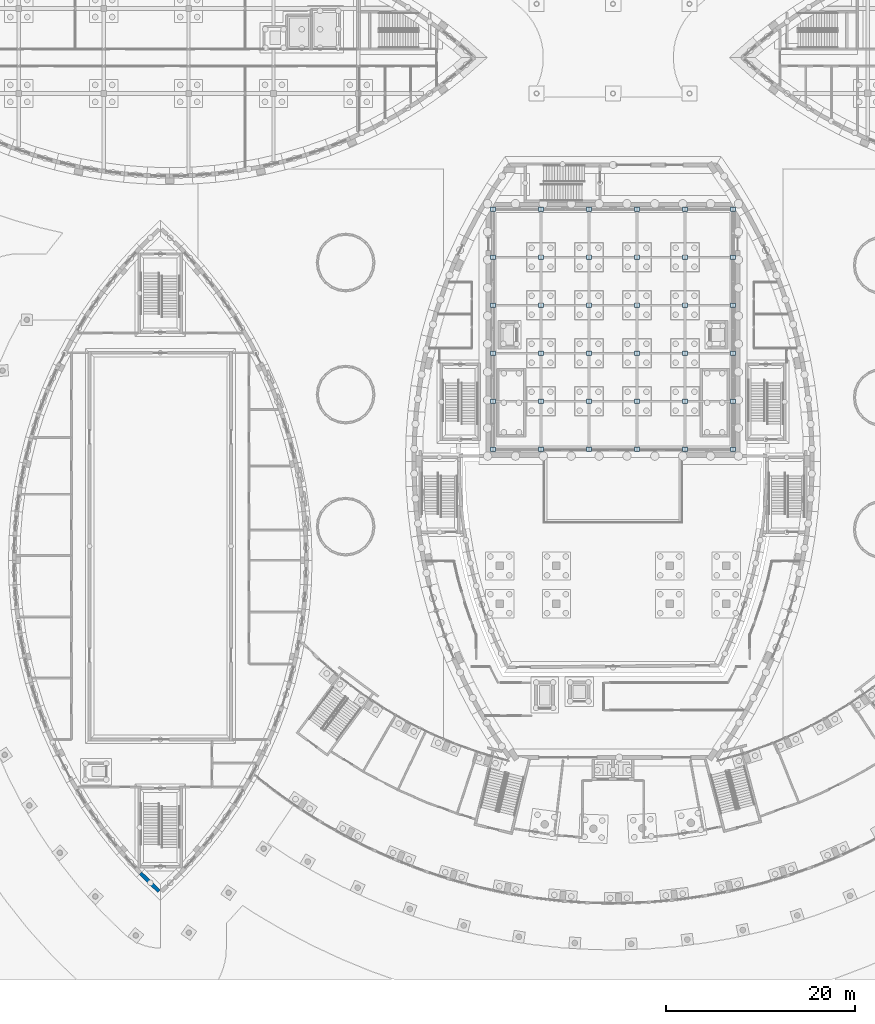
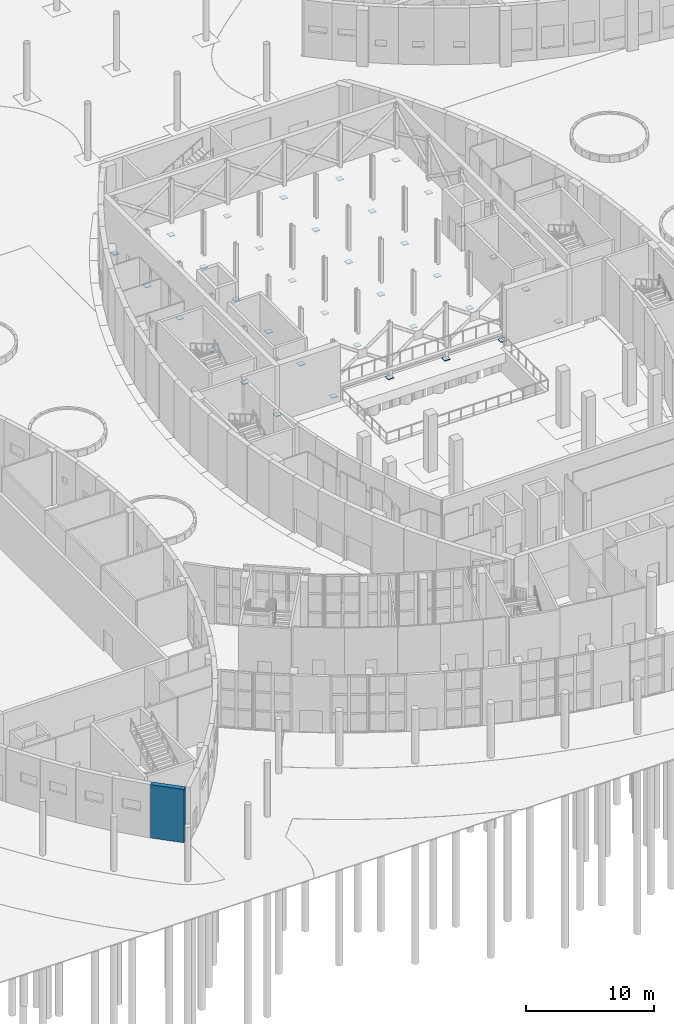
# One storey, part 40 of 82: 36 plates, 1 wall.
"""IFC4 building model written with IfcOpenShell, lengths in metres."""

import ifcopenshell
import ifcopenshell.guid

model = None  # the IFC model being written
_history = None  # IfcOwnerHistory: only IFC2X3 demands one
_inside = {}  # id of a spatial element -> (the spatial element, [elements in it])
_under = {}  # id of a project, library or spatial element -> (it, [spatial elements below it])
_declared = {}  # id of a project -> (the project, [libraries it declares])
_typed = {}  # id of a type object -> (the type object, [elements of that type])
_made_of = {}  # id of a material, layer set ... -> (it, [elements and type objects made of it])


def new_model(schema):
    """Start an empty IFC model of exactly this schema.

    Asked for "IFC4X3", IfcOpenShell would pick the latest addendum, in which some entities
    have other attributes; the version numbers below select the first issue.
    IFC2X3 requires an IfcOwnerHistory on every rooted entity: one is made here for all.
    """
    global model, _history
    if schema == "IFC4X3":
        model = ifcopenshell.file(schema_version=(4, 3, 0, 0))
    else:
        model = ifcopenshell.file(schema=schema)
    _inside.clear()
    _under.clear()
    _declared.clear()
    _typed.clear()
    _made_of.clear()
    _history = None
    if model.schema == "IFC2X3":
        org = make("IfcOrganization", Name="unknown")
        user = make(
            "IfcPersonAndOrganization",
            ThePerson=make("IfcPerson", FamilyName="unknown"),
            TheOrganization=org,
        )
        app = make(
            "IfcApplication",
            ApplicationDeveloper=org,
            Version="unknown",
            ApplicationFullName="unknown",
            ApplicationIdentifier="unknown",
        )
        _history = make(
            "IfcOwnerHistory",
            OwningUser=user,
            OwningApplication=app,
            ChangeAction="ADDED",
            CreationDate=0,
        )
    return model


def make(cls, **values):
    """One entity of the class cls with the attributes given. An attribute that is None is left unset."""
    return model.create_entity(
        cls, **{name: value for name, value in values.items() if value is not None}
    )


def rooted(cls, **values):
    """An entity with a GlobalId (a new one), such as an element, a storey or a relation."""
    return make(cls, GlobalId=ifcopenshell.guid.new(), OwnerHistory=_history, **values)


def si_unit(unit_type, name, prefix=None):
    """IfcSIUnit, for example si_unit("LENGTHUNIT", "METRE", prefix="MILLI")."""
    return make("IfcSIUnit", UnitType=unit_type, Prefix=prefix, Name=name)


def assignment(units):
    """IfcUnitAssignment: the units of a project."""
    return None if units is None else make("IfcUnitAssignment", Units=units)


def point(xyz):
    """IfcCartesianPoint."""
    return None if xyz is None else make("IfcCartesianPoint", Coordinates=xyz)


def direction(xyz):
    """IfcDirection."""
    return None if xyz is None else make("IfcDirection", DirectionRatios=xyz)


def frame(location, z_axis=None, x_axis=None):
    """IfcAxis2Placement3D, a coordinate frame: its origin and axes. An axis left out is left unset."""
    return make(
        "IfcAxis2Placement3D",
        Location=point(location),
        Axis=direction(z_axis),
        RefDirection=direction(x_axis),
    )


def frame_2d(location, x_axis=None):
    """IfcAxis2Placement2D, a coordinate frame in the plane: its origin and x axis."""
    return make(
        "IfcAxis2Placement2D", Location=point(location), RefDirection=direction(x_axis)
    )


def origin():
    """The frame at (0, 0, 0) with its axes left unset."""
    return frame((0.0, 0.0, 0.0))


def origin_2d():
    """The frame at (0, 0) in the plane with its x axis left unset."""
    return frame_2d((0.0, 0.0))


def place(relative_to, where):
    """IfcLocalPlacement: puts the frame where relative to a parent placement (None: the world)."""
    return make(
        "IfcLocalPlacement", PlacementRelTo=relative_to, RelativePlacement=where
    )


def context(
    kind, dimensions, precision=None, world=None, true_north=None, identifier=None
):
    """IfcGeometricRepresentationContext, for example the 3D "Model" context."""
    return make(
        "IfcGeometricRepresentationContext",
        ContextIdentifier=identifier,
        ContextType=kind,
        CoordinateSpaceDimension=dimensions,
        Precision=precision,
        WorldCoordinateSystem=world,
        TrueNorth=true_north,
    )


def subcontext(parent, identifier, kind, view, scale=None):
    """IfcGeometricRepresentationSubContext, for example "Body" below "Model"."""
    return make(
        "IfcGeometricRepresentationSubContext",
        ContextIdentifier=identifier,
        ContextType=kind,
        ParentContext=parent,
        TargetScale=scale,
        TargetView=view,
    )


def project(units=None, contexts=None):
    """IfcProject with its units and contexts."""
    return rooted(
        "IfcProject",
        Name="project",
        RepresentationContexts=contexts,
        UnitsInContext=assignment(units),
    )


def spatial(cls, under=None, at=None, **own):
    """A site, building, storey or space (cls), placed at a placement, below another one or the project."""
    s = rooted(cls, ObjectPlacement=at, **own)
    if under is not None:
        _under.setdefault(under.id(), (under, []))[1].append(s)
    return s


def profile(cls, at=None, kind="AREA", **sizes):
    """A parametric profile (cls). Its sizes go by their IFC names, for example OverallWidth=200.0."""
    return make(cls, ProfileType=kind, Position=at, **sizes)


def rectangle(**sizes):
    """IfcRectangleProfileDef."""
    return profile("IfcRectangleProfileDef", **sizes)


def extrude(swept, where, along, depth):
    """IfcExtrudedAreaSolid: the profile swept, set in the frame where, extruded along a direction by depth."""
    return make(
        "IfcExtrudedAreaSolid",
        SweptArea=swept,
        Position=where,
        ExtrudedDirection=direction(along),
        Depth=depth,
    )


def shape(context_of_items, identifier, shape_type, items):
    """IfcShapeRepresentation: the items that make up one representation, for example the "Body"."""
    return make(
        "IfcShapeRepresentation",
        ContextOfItems=context_of_items,
        RepresentationIdentifier=identifier,
        RepresentationType=shape_type,
        Items=items,
    )


def material(Name=None, Category=None):
    """IfcMaterial."""
    return make("IfcMaterial", Name=Name, Category=Category)


def layer(
    of_material, thickness, ventilated=None, Name=None, Category=None, Priority=None
):
    """IfcMaterialLayer: one layer of a wall or slab, of a material (None: an air gap)."""
    return make(
        "IfcMaterialLayer",
        Material=of_material,
        LayerThickness=thickness,
        IsVentilated=ventilated,
        Name=Name,
        Category=Category,
        Priority=Priority,
    )


def layer_set(layers, Name=None):
    """IfcMaterialLayerSet."""
    return make("IfcMaterialLayerSet", MaterialLayers=layers, LayerSetName=Name)


def made_of(thing, what):
    """Note that an element or type object is made of a material, layer set ...; save() writes the relation."""
    if what is not None:
        _made_of.setdefault(what.id(), (what, []))[1].append(thing)
    return thing


def type_object(cls, material=None, **own):
    """A type object (cls), such as IfcWallType, which elements share."""
    return made_of(rooted(cls, **own), material)


def element(
    cls,
    number,
    at=None,
    inside=None,
    cuts=None,
    type_object=None,
    material=None,
    context=None,
    identifier="Body",
    shape_type=None,
    held_by="IfcProductDefinitionShape",
    body=None,
    shapes=None,
    **own,
):
    """One element of the class cls, such as IfcWall. Its Tag is "e" and its number.

    at: its placement. inside: the storey or other place that contains it. cuts: it is an
    opening in that element (IfcRelVoidsElement). A single representation is given by context,
    identifier, shape_type and body (its items); several are given by shapes. held_by: the class
    of the entity that holds the representations. save() writes the other relations.
    """
    e = rooted(cls, Tag="e%d" % number, ObjectPlacement=at, **own)
    if body is not None:
        shapes = [shape(context, identifier, shape_type, body)]
    if shapes is not None:
        e.Representation = make(held_by, Representations=shapes)
    if inside is not None:
        _inside.setdefault(inside.id(), (inside, []))[1].append(e)
    if cuts is not None:
        rooted(
            "IfcRelVoidsElement", RelatingBuildingElement=cuts, RelatedOpeningElement=e
        )
    if type_object is not None:
        _typed.setdefault(type_object.id(), (type_object, []))[1].append(e)
    return made_of(e, material)


def aggregate(whole, parts):
    """IfcRelAggregates: a whole, such as a stair, and the parts it consists of."""
    return rooted("IfcRelAggregates", RelatingObject=whole, RelatedObjects=parts)


def save(model, path):
    """Write the relations noted so far, then the file.

    IfcRelAggregates (storeys below a building ...), IfcRelContainedInSpatialStructure (elements
    in a storey), IfcRelDefinesByType, IfcRelAssociatesMaterial and IfcRelDeclares: one each for
    every whole, place, type object, material and project.
    """
    for whole, parts in _under.values():
        aggregate(whole, parts)
    for where, things in _inside.values():
        rooted(
            "IfcRelContainedInSpatialStructure",
            RelatedElements=things,
            RelatingStructure=where,
        )
    for kind, things in _typed.values():
        rooted("IfcRelDefinesByType", RelatedObjects=things, RelatingType=kind)
    for what, things in _made_of.values():
        rooted("IfcRelAssociatesMaterial", RelatedObjects=things, RelatingMaterial=what)
    for by, libraries in _declared.values():
        rooted("IfcRelDeclares", RelatingContext=by, RelatedDefinitions=libraries)
    model.write(path)


model = new_model("IFC4")

# Units and contexts
model_context = context("Model", 3, precision=1e-05, world=origin(), true_north=direction((0.0, 1.0)))
body_context = subcontext(model_context, "Body", "Model", "MODEL_VIEW")
ifc_project = project(units=[si_unit("LENGTHUNIT", "METRE"), si_unit("AREAUNIT", "SQUARE_METRE"), si_unit("VOLUMEUNIT", "CUBIC_METRE"), si_unit("PLANEANGLEUNIT", "RADIAN"), si_unit("MASSUNIT", "GRAM", prefix="KILO")], contexts=[model_context])

# Site, building, storey
site_placement = place(None, origin())
site = spatial("IfcSite", under=ifc_project, at=site_placement, CompositionType="ELEMENT")
building_placement = place(site_placement, origin())
building = spatial("IfcBuilding", under=site, at=building_placement, Name="Tide Square Theatres", CompositionType="ELEMENT")
storey_placement = place(building_placement, origin())
storey = spatial("IfcBuildingStorey", under=building, at=storey_placement, Name="L00", CompositionType="ELEMENT", Elevation=0.0)

# Plates
ifc_material_1 = material(Name="Steel ASTM A572 Grade 50", Category="steel")
ifc_layer_1 = layer(ifc_material_1, 0.050048828125)
ifc_layer_set_1 = layer_set([ifc_layer_1], Name="Steel ASTM A572 Grade 50")
plate_type_1 = type_object("IfcPlateType", Name="Steel base plate 50 thick", PredefinedType="USERDEFINED", material=ifc_layer_set_1)
for number, where, z_axis, x_axis, name in (
    (1, (71.27587890625, 61.365478515625, 0.0), (0.0, 0.0, 1.0), (1.0, 0.0, 0.0), "Fly tower column base plate"),
    (2, (71.27587890625, 66.455078125, 0.0), (0.0, 0.0, 1.0), (1.0, 0.0, 0.0), "Fly tower column base plate"),
    (3, (71.27587890625, 71.544921875, 0.0), (0.0, 0.0, 1.0), (1.0, 0.0, 0.0), "Fly tower column base plate"),
    (4, (71.27587890625, 76.634521484375, 0.0), (0.0, 0.0, 1.0), (1.0, 0.0, 0.0), "Fly tower column base plate"),
    (5, (76.365478515625, 56.27587890625, 0.0), (0.0, 0.0, 1.0), (1.0, 0.0, 0.0), "Fly tower column base plate"),
    (6, (76.365478515625, 61.365478515625, 0.0), (0.0, 0.0, 1.0), (1.0, 0.0, 0.0), "Fly tower column base plate"),
    (7, (76.365478515625, 66.455078125, 0.0), (0.0, 0.0, 1.0), (1.0, 0.0, 0.0), "Fly tower column base plate"),
    (8, (76.365478515625, 71.544921875, 0.0), (0.0, 0.0, 1.0), (1.0, 0.0, 0.0), "Fly tower column base plate"),
    (9, (76.365478515625, 76.634521484375, 0.0), (0.0, 0.0, 1.0), (1.0, 0.0, 0.0), "Fly tower column base plate"),
    (10, (76.365478515625, 81.72412109375, 0.0), (0.0, 0.0, 1.0), (1.0, 0.0, 0.0), "Fly tower column base plate"),
    (11, (81.455078125, 56.27587890625, 0.0), (0.0, 0.0, 1.0), (1.0, 0.0, 0.0), "Fly tower column base plate"),
    (12, (81.455078125, 61.365478515625, 0.0), (0.0, 0.0, 1.0), (1.0, 0.0, 0.0), "Fly tower column base plate"),
    (13, (81.455078125, 66.455078125, 0.0), (0.0, 0.0, 1.0), (1.0, 0.0, 0.0), "Fly tower column base plate"),
    (14, (81.455078125, 71.544921875, 0.0), (0.0, 0.0, 1.0), (1.0, 0.0, 0.0), "Fly tower column base plate"),
    (15, (81.455078125, 76.634521484375, 0.0), (0.0, 0.0, 1.0), (1.0, 0.0, 0.0), "Fly tower column base plate"),
    (16, (81.455078125, 81.72412109375, 0.0), (0.0, 0.0, 1.0), (1.0, 0.0, 0.0), "Fly tower column base plate"),
    (17, (86.544921875, 56.27587890625, 0.0), (0.0, 0.0, 1.0), (1.0, 0.0, 0.0), "Fly tower column base plate"),
    (18, (86.544921875, 61.365478515625, 0.0), (0.0, 0.0, 1.0), (1.0, 0.0, 0.0), "Fly tower column base plate"),
    (19, (86.544921875, 66.455078125, 0.0), (0.0, 0.0, 1.0), (1.0, 0.0, 0.0), "Fly tower column base plate"),
    (20, (86.544921875, 71.544921875, 0.0), (0.0, 0.0, 1.0), (1.0, 0.0, 0.0), "Fly tower column base plate"),
    (21, (86.544921875, 76.634521484375, 0.0), (0.0, 0.0, 1.0), (1.0, 0.0, 0.0), "Fly tower column base plate"),
    (22, (86.544921875, 81.72412109375, 0.0), (0.0, 0.0, 1.0), (1.0, 0.0, 0.0), "Fly tower column base plate"),
    (23, (91.634521484375, 56.27587890625, 0.0), (0.0, 0.0, 1.0), (1.0, 0.0, 0.0), "Fly tower column base plate"),
    (24, (91.634521484375, 61.365478515625, 0.0), (0.0, 0.0, 1.0), (1.0, 0.0, 0.0), "Fly tower column base plate"),
    (25, (91.634521484375, 66.455078125, 0.0), (0.0, 0.0, 1.0), (1.0, 0.0, 0.0), "Fly tower column base plate"),
    (26, (91.634521484375, 71.544921875, 0.0), (0.0, 0.0, 1.0), (1.0, 0.0, 0.0), "Fly tower column base plate"),
    (27, (91.634521484375, 76.634521484375, 0.0), (0.0, 0.0, 1.0), (1.0, 0.0, 0.0), "Fly tower column base plate"),
    (28, (91.634521484375, 81.72412109375, 0.0), (0.0, 0.0, 1.0), (1.0, 0.0, 0.0), "Fly tower column base plate"),
    (29, (96.72412109375, 61.365478515625, 0.0), (0.0, 0.0, 1.0), (1.0, 0.0, 0.0), "Fly tower column base plate"),
    (30, (96.72412109375, 66.455078125, 0.0), (0.0, 0.0, 1.0), (1.0, 0.0, 0.0), "Fly tower column base plate"),
    (31, (96.72412109375, 71.544921875, 0.0), (0.0, 0.0, 1.0), (1.0, 0.0, 0.0), "Fly tower column base plate"),
    (32, (96.72412109375, 76.634521484375, 0.0), (0.0, 0.0, 1.0), (1.0, 0.0, 0.0), "Fly tower column base plate"),
):
    element("IfcPlate", number, at=place(storey_placement, frame(where, z_axis=z_axis, x_axis=x_axis)), inside=storey, type_object=plate_type_1, Name=name, ObjectType="BASE PLATE", PredefinedType="USERDEFINED", context=body_context, shape_type="SweptSolid", body=[
        extrude(rectangle(XDim=0.5, YDim=0.5, at=origin_2d()), origin(), (0.0, 0.0, 1.0), 0.050048828125),
    ])
ifc_material_2 = material(Name="Steel ASTM A572 Grade 50", Category="steel")
ifc_layer_2 = layer(ifc_material_2, 0.070068359375)
ifc_layer_set_2 = layer_set([ifc_layer_2], Name="Steel ASTM A572 Grade 50")
plate_type_2 = type_object("IfcPlateType", Name="Steel base plate 70 thick", PredefinedType="USERDEFINED", material=ifc_layer_set_2)
for number, where, z_axis, x_axis, name in (
    (33, (71.27587890625, 56.27587890625, 0.0), (0.0, 0.0, 1.0), (1.0, 0.0, 0.0), "Fly tower column base plate"),
    (34, (71.27587890625, 81.72412109375, 0.0), (0.0, 0.0, 1.0), (1.0, 0.0, 0.0), "Fly tower column base plate"),
    (35, (96.72412109375, 56.27587890625, 0.0), (0.0, 0.0, 1.0), (1.0, 0.0, 0.0), "Fly tower column base plate"),
    (36, (96.72412109375, 81.72412109375, 0.0), (0.0, 0.0, 1.0), (1.0, 0.0, 0.0), "Fly tower column base plate"),
):
    element("IfcPlate", number, at=place(storey_placement, frame(where, z_axis=z_axis, x_axis=x_axis)), inside=storey, type_object=plate_type_2, Name=name, ObjectType="BASE PLATE", PredefinedType="USERDEFINED", context=body_context, shape_type="SweptSolid", body=[
        extrude(rectangle(XDim=0.5, YDim=0.5, at=origin_2d()), origin(), (0.0, 0.0, 1.0), 0.070068359375),
    ])

# Wall
ifc_material_3 = material(Name="Concrete C40", Category="concrete")
ifc_layer_3 = layer(ifc_material_3, 0.39990234375)
ifc_layer_set_3 = layer_set([ifc_layer_3], Name="Concrete C40")
wall_type = type_object("IfcWallType", Name="RC curved wall 400 thick", PredefinedType="SOLIDWALL", material=ifc_layer_set_3)
wall_placement = place(storey_placement, frame((33.905517578125, 11.313720703125, 0.0), z_axis=(0.0, 0.0, 1.0), x_axis=(0.717243568607, -0.696822547922, 0.0)))
element("IfcWall", 37, at=wall_placement, inside=storey, type_object=wall_type, Name="Studio Theatre perimeter wall", PredefinedType="SOLIDWALL", context=body_context, shape_type="SweptSolid", body=[
    extrude(rectangle(XDim=2.725830078125, YDim=0.39990234375, at=frame_2d((1.36279296875, 0.0))), origin(), (0.0, 0.0, 1.0), 5.10009765625),
])

save(model, "model.ifc")
